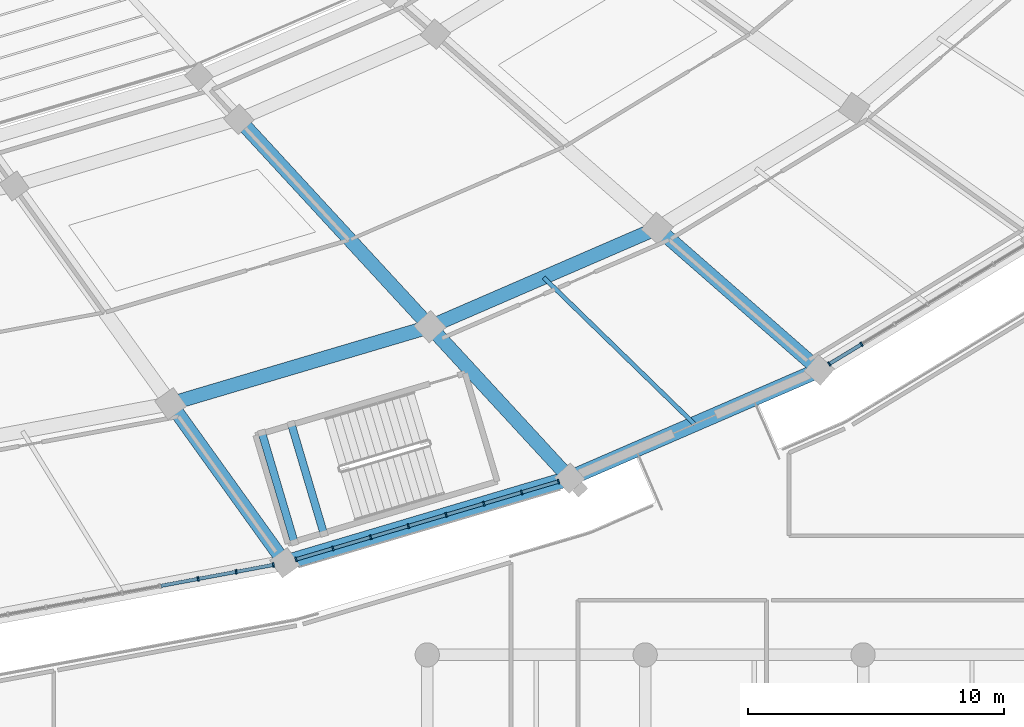
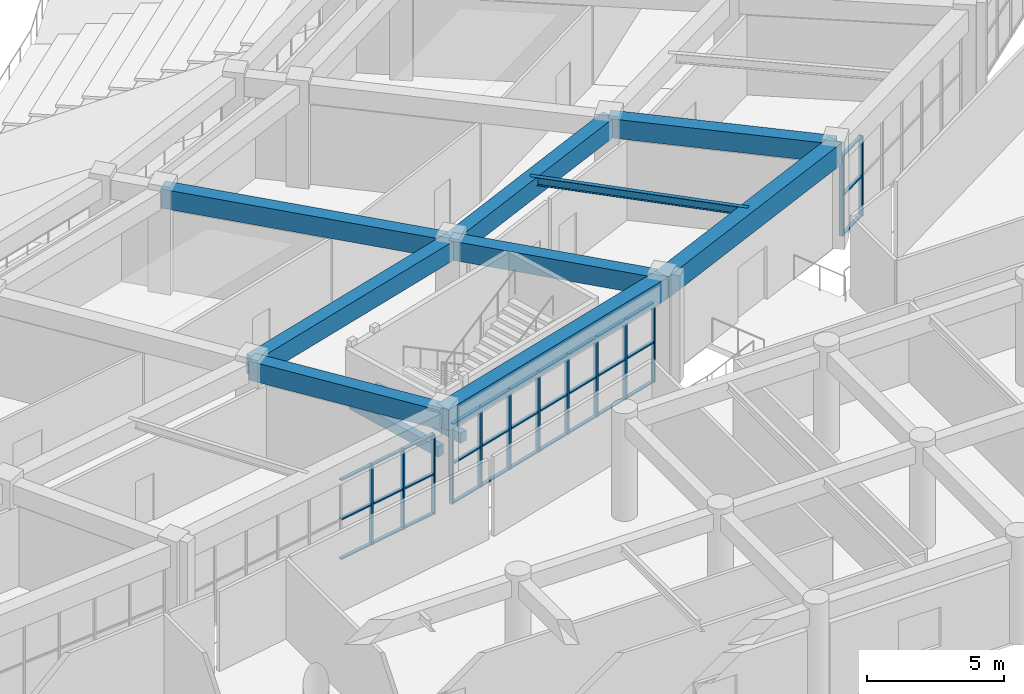
# One storey, part 38 of 152: 46 members, 11 beams, 3 elements without a shape of their own.
"""IFC4 building model written with IfcOpenShell, lengths in metres."""

from ifc_helpers import new_model, si_unit, direction, frame, origin, origin_2d, place, context, subcontext, project, spatial, rectangle, i_section, extrude, material, layer, layer_set, material_profile, profile_set, type_object, element, aggregate, save


model = new_model("IFC4")

# Units and contexts
model_context = context("Model", 3, precision=1e-05, world=origin(), true_north=direction((0.0, 1.0)))
body_context = subcontext(model_context, "Body", "Model", "MODEL_VIEW")
ifc_project = project(units=[si_unit("LENGTHUNIT", "METRE"), si_unit("AREAUNIT", "SQUARE_METRE"), si_unit("VOLUMEUNIT", "CUBIC_METRE"), si_unit("PLANEANGLEUNIT", "RADIAN"), si_unit("MASSUNIT", "GRAM", prefix="KILO")], contexts=[model_context])

# Site, building, storey
site_placement = place(None, origin())
site = spatial("IfcSite", under=ifc_project, at=site_placement, CompositionType="ELEMENT")
building_placement = place(site_placement, origin())
building = spatial("IfcBuilding", under=site, at=building_placement, Name="Mphavela Belvedere Stadium", CompositionType="ELEMENT")
storey_placement = place(building_placement, frame((0.0, 0.0, 5.39990234375)))
storey = spatial("IfcBuildingStorey", under=building, at=storey_placement, Name="L01", CompositionType="ELEMENT", Elevation=5.39990234375)

# Beams
ifc_material_1 = material(Name="Concrete C40/50", Category="concrete")
ifc_material_profile_1 = material_profile(ifc_material_1, rectangle(XDim=0.60009765625, YDim=0.949951171875, at=origin_2d()), Name="RC 600x950")
ifc_profile_set_1 = profile_set([ifc_material_profile_1], Name="Concrete C40/50")
beam_type_1 = type_object("IfcBeamType", Name="BM-ENTABLATURE-950", PredefinedType="SPANDREL", material=ifc_profile_set_1)
beam_1_placement = place(storey_placement, frame((164.80126953125, 17.60302734375, 4.0751953125), z_axis=(0.958656362639, 0.284566298727, 0.0), x_axis=(-0.284566298727, 0.958656362639, 0.0)))
element("IfcBeam", 1, at=beam_1_placement, inside=storey, type_object=beam_type_1, Name="Circumferential girder L01 R4-40", PredefinedType="SPANDREL", context=body_context, shape_type="SweptSolid", body=[
    extrude(rectangle(XDim=0.60009765625, YDim=0.949951171875, at=origin_2d()), origin(), (0.0, 0.0, 1.0), 11.616455078125),
])
beam_2_placement = place(storey_placement, frame((175.9375, 20.90869140625, 4.0751953125), z_axis=(0.91749867224, 0.397738842004, 0.0), x_axis=(-0.397738842004, 0.91749867224, 0.0)))
element("IfcBeam", 2, at=beam_2_placement, inside=storey, type_object=beam_type_1, Name="Circumferential girder L01 R4-41", PredefinedType="SPANDREL", context=body_context, shape_type="SweptSolid", body=[
    extrude(rectangle(XDim=0.60009765625, YDim=0.949951171875, at=origin_2d()), origin(), (0.0, 0.0, 1.0), 10.63623046875),
])
ifc_material_2 = material(Name="Steel S355", Category="steel")
ifc_material_profile_2 = material_profile(ifc_material_2, i_section(OverallWidth=0.169921875, OverallDepth=0.360107421875, WebThickness=0.008056640625, FlangeThickness=0.0126953125, at=origin_2d()), Name="IPE 360")
ifc_profile_set_2 = profile_set([ifc_material_profile_2], Name="Steel S355")
beam_type_2 = type_object("IfcBeamType", Name="BM-JOIST-IPE360", PredefinedType="JOIST", material=ifc_profile_set_2)
beam_3_placement = place(storey_placement, frame((174.918212890625, 28.757568359375, 4.3701171875), z_axis=(0.717067022089, -0.697004222249, 0.0), x_axis=(0.697004222249, 0.717067022089, 0.0)))
element("IfcBeam", 3, at=beam_3_placement, inside=storey, type_object=beam_type_2, Name="Concourse floor joist L01-41", PredefinedType="JOIST", context=body_context, shape_type="SweptSolid", body=[
    extrude(i_section(OverallWidth=0.169921875, OverallDepth=0.360107421875, WebThickness=0.008056640625, FlangeThickness=0.0126953125, at=origin_2d()), origin(), (0.0, 0.0, 1.0), 8.22607421875),
])
ifc_material_3 = material(Name="Concrete C40/50", Category="concrete")
ifc_material_profile_3 = material_profile(ifc_material_3, rectangle(XDim=0.300048828125, YDim=0.449951171875, at=origin_2d()), Name="RC 300x450")
ifc_profile_set_3 = profile_set([ifc_material_profile_3], Name="Concrete C40/50")
beam_type_3 = type_object("IfcBeamType", Name="BM-RC300x450", PredefinedType="BEAM", material=ifc_profile_set_3)
beam_4_placement = place(storey_placement, frame((165.05419921875, 23.027099609375, 1.97509765625), z_axis=(0.284510445837, -0.958672940168, 0.0), x_axis=(0.958672940168, 0.284510445837, 0.0)))
element("IfcBeam", 4, at=beam_4_placement, inside=storey, type_object=beam_type_3, Name="Core P04 landing trimmer beam L01-1", PredefinedType="BEAM", context=body_context, shape_type="SweptSolid", body=[
    extrude(rectangle(XDim=0.300048828125, YDim=0.449951171875, at=origin_2d()), origin(), (0.0, 0.0, 1.0), 4.469970703125),
])
beam_5_placement = place(storey_placement, frame((163.90380859375, 22.685791015625, 1.97509765625), z_axis=(0.284495549112, -0.958677361022, 0.0), x_axis=(0.958677361022, 0.284495549112, 0.0)))
element("IfcBeam", 5, at=beam_5_placement, inside=storey, type_object=beam_type_3, Name="Core P04 landing trimmer beam L01-2", PredefinedType="BEAM", context=body_context, shape_type="SweptSolid", body=[
    extrude(rectangle(XDim=0.300048828125, YDim=0.449951171875, at=origin_2d()), origin(), (0.0, 0.0, 1.0), 4.47021484375),
])
ifc_material_4 = material(Name="Concrete C40/50", Category="concrete")
ifc_material_profile_4 = material_profile(ifc_material_4, rectangle(XDim=0.550048828125, YDim=0.85009765625, at=origin_2d()), Name="RC 550x850")
ifc_profile_set_4 = profile_set([ifc_material_profile_4], Name="Concrete C40/50")
beam_type_4 = type_object("IfcBeamType", Name="BM-RC550x850", PredefinedType="BEAM", material=ifc_profile_set_4)
beam_6_placement = place(storey_placement, frame((160.337890625, 23.822509765625, 4.125), z_axis=(0.958655230784, 0.284570111731, 0.0), x_axis=(-0.284570111731, 0.958655230784, 0.0)))
element("IfcBeam", 6, at=beam_6_placement, inside=storey, type_object=beam_type_4, Name="Circumferential girder L01 R3-40", PredefinedType="BEAM", context=body_context, shape_type="SweptSolid", body=[
    extrude(rectangle(XDim=0.550048828125, YDim=0.85009765625, at=origin_2d()), origin(), (0.0, 0.0, 1.0), 10.57568359375),
])
beam_7_placement = place(storey_placement, frame((160.337890625, 23.822509765625, 4.125), z_axis=(0.583043812448, -0.812440713385, 0.0), x_axis=(0.812440713385, 0.583043812448, 0.0)))
element("IfcBeam", 7, at=beam_7_placement, inside=storey, type_object=beam_type_4, Name="Radial concourse girder L01 R3R4-40", PredefinedType="BEAM", context=body_context, shape_type="SweptSolid", body=[
    extrude(rectangle(XDim=0.550048828125, YDim=0.85009765625, at=origin_2d()), origin(), (0.0, 0.0, 1.0), 7.6552734375),
])
beam_8_placement = place(storey_placement, frame((170.476318359375, 26.83203125, 4.125), z_axis=(0.917501650019, 0.397731972832, 0.0), x_axis=(-0.397731972832, 0.917501650019, 0.0)))
element("IfcBeam", 8, at=beam_8_placement, inside=storey, type_object=beam_type_4, Name="Circumferential girder L01 R3-41", PredefinedType="BEAM", context=body_context, shape_type="SweptSolid", body=[
    extrude(rectangle(XDim=0.550048828125, YDim=0.85009765625, at=origin_2d()), origin(), (0.0, 0.0, 1.0), 9.6826171875),
])
beam_9_placement = place(storey_placement, frame((163.002685546875, 34.9375, 4.125), z_axis=(0.677871643116, -0.735180274123, 0.0), x_axis=(0.735180274123, 0.677871643116, 0.0)))
element("IfcBeam", 9, at=beam_9_placement, inside=storey, type_object=beam_type_4, Name="Radial concourse girder L01 R2R3-41", PredefinedType="BEAM", context=body_context, shape_type="SweptSolid", body=[
    extrude(rectangle(XDim=0.550048828125, YDim=0.85009765625, at=origin_2d()), origin(), (0.0, 0.0, 1.0), 11.025146484375),
])
beam_10_placement = place(storey_placement, frame((170.476318359375, 26.83203125, 4.125), z_axis=(0.67784325477, -0.735206448532, 0.0), x_axis=(0.735206448532, 0.67784325477, 0.0)))
element("IfcBeam", 10, at=beam_10_placement, inside=storey, type_object=beam_type_4, Name="Radial concourse girder L01 R3R4-41", PredefinedType="BEAM", context=body_context, shape_type="SweptSolid", body=[
    extrude(rectangle(XDim=0.550048828125, YDim=0.85009765625, at=origin_2d()), origin(), (0.0, 0.0, 1.0), 8.056640625),
])
beam_11_placement = place(storey_placement, frame((179.360107421875, 30.68310546875, 4.125), z_axis=(0.752589268993, -0.658490236978, 0.0), x_axis=(0.658490236978, 0.752589268993, 0.0)))
element("IfcBeam", 11, at=beam_11_placement, inside=storey, type_object=beam_type_4, Name="Radial concourse girder L01 R3R4-42", PredefinedType="BEAM", context=body_context, shape_type="SweptSolid", body=[
    extrude(rectangle(XDim=0.550048828125, YDim=0.85009765625, at=origin_2d()), origin(), (0.0, 0.0, 1.0), 8.419189453125),
])

# Curtain wall, members
ifc_material_5 = material(Name="Anodised bronze unitised curtain wall framing")
ifc_layer_1 = layer(ifc_material_5, 0.205078125)
ifc_layer_set_1 = layer_set([ifc_layer_1], Name="Anodised bronze unitised curtain wall framing")
curtain_wall_type_1 = type_object("IfcCurtainWallType", Name="CW-UNIT-06", PredefinedType="USERDEFINED", material=ifc_layer_set_1)
curtain_wall_1_placement = place(storey_placement, origin())
curtain_wall_1 = element("IfcCurtainWall", 12, at=curtain_wall_1_placement, inside=storey, type_object=curtain_wall_type_1, Name="Belvedere colonnade curtain wall L01-39", ObjectType="UNITISED CURTAIN WALL", PredefinedType="USERDEFINED")
ifc_material_6 = material(Name="Anodised bronze extruded aluminium", Category="aluminium")
ifc_material_profile_5 = material_profile(ifc_material_6, rectangle(XDim=0.179931640625, YDim=0.06494140625, at=origin_2d()), Name="CW-MUL 180x65")
ifc_profile_set_5 = profile_set([ifc_material_profile_5], Name="Anodised bronze extruded aluminium")
member_type_1 = type_object("IfcMemberType", Name="CWM-180x65", PredefinedType="MULLION", material=ifc_profile_set_5)
member_1_placement = place(storey_placement, frame((161.4111328125, 16.9716796875, 0.0), z_axis=(0.0, 0.0, 1.0), x_axis=(-0.18309495886, 0.983095232437, 0.0)))
member_1 = element("IfcMember", 13, at=member_1_placement, type_object=member_type_1, Name="CW-06 mullion 7", PredefinedType="MULLION", context=body_context, shape_type="SweptSolid", body=[
    extrude(rectangle(XDim=0.179931640625, YDim=0.06494140625, at=origin_2d()), origin(), (0.0, 0.0, 1.0), 3.570068359375),
])
member_2_placement = place(storey_placement, frame((162.898193359375, 17.248779296875, 0.0), z_axis=(0.0, 0.0, 1.0), x_axis=(-0.18309495886, 0.983095232437, 0.0)))
member_2 = element("IfcMember", 14, at=member_2_placement, type_object=member_type_1, Name="CW-06 mullion 8", PredefinedType="MULLION", context=body_context, shape_type="SweptSolid", body=[
    extrude(rectangle(XDim=0.179931640625, YDim=0.06494140625, at=origin_2d()), origin(), (0.0, 0.0, 1.0), 3.570068359375),
])
member_3_placement = place(storey_placement, frame((164.353515625, 17.519775390625, 0.0), z_axis=(0.0, 0.0, 1.0), x_axis=(-0.18309495886, 0.983095232437, 0.0)))
member_3 = element("IfcMember", 15, at=member_3_placement, type_object=member_type_1, Name="CW-06 mullion 9", PredefinedType="MULLION", context=body_context, shape_type="SweptSolid", body=[
    extrude(rectangle(XDim=0.179931640625, YDim=0.06494140625, at=origin_2d()), origin(), (0.0, 0.0, 1.0), 3.570068359375),
])

ifc_material_7 = material(Name="Anodised bronze unitised curtain wall framing")
ifc_layer_2 = layer(ifc_material_7, 0.179931640625)
ifc_layer_set_2 = layer_set([ifc_layer_2], Name="Anodised bronze unitised curtain wall framing")
curtain_wall_type_2 = type_object("IfcCurtainWallType", Name="CW-UNIT-01", PredefinedType="USERDEFINED", material=ifc_layer_set_2)
curtain_wall_2_placement = place(storey_placement, origin())
curtain_wall_2 = element("IfcCurtainWall", 16, at=curtain_wall_2_placement, inside=storey, type_object=curtain_wall_type_2, Name="Belvedere colonnade curtain wall L01-40", ObjectType="UNITISED CURTAIN WALL", PredefinedType="USERDEFINED")
member_4_placement = place(storey_placement, frame((165.23779296875, 17.732666015625, 0.0), z_axis=(0.0, 0.0, 1.0), x_axis=(-0.28455109279, 0.958660876219, 0.0)))
member_4 = element("IfcMember", 17, at=member_4_placement, type_object=member_type_1, Name="CW-01 mullion 1", PredefinedType="MULLION", context=body_context, shape_type="SweptSolid", body=[
    extrude(rectangle(XDim=0.179931640625, YDim=0.06494140625, at=origin_2d()), origin(), (0.0, 0.0, 1.0), 3.570068359375),
])
member_5_placement = place(storey_placement, frame((166.681640625, 18.161376953125, 0.0), z_axis=(0.0, 0.0, 1.0), x_axis=(-0.28455109279, 0.958660876219, 0.0)))
member_5 = element("IfcMember", 18, at=member_5_placement, type_object=member_type_1, Name="CW-01 mullion 2", PredefinedType="MULLION", context=body_context, shape_type="SweptSolid", body=[
    extrude(rectangle(XDim=0.179931640625, YDim=0.06494140625, at=origin_2d()), origin(), (0.0, 0.0, 1.0), 3.570068359375),
])
member_6_placement = place(storey_placement, frame((168.15673828125, 18.59912109375, 0.0), z_axis=(0.0, 0.0, 1.0), x_axis=(-0.28455109279, 0.958660876219, 0.0)))
member_6 = element("IfcMember", 19, at=member_6_placement, type_object=member_type_1, Name="CW-01 mullion 3", PredefinedType="MULLION", context=body_context, shape_type="SweptSolid", body=[
    extrude(rectangle(XDim=0.179931640625, YDim=0.06494140625, at=origin_2d()), origin(), (0.0, 0.0, 1.0), 3.570068359375),
])
member_7_placement = place(storey_placement, frame((169.6318359375, 19.036865234375, 0.0), z_axis=(0.0, 0.0, 1.0), x_axis=(-0.28455109279, 0.958660876219, 0.0)))
member_7 = element("IfcMember", 20, at=member_7_placement, type_object=member_type_1, Name="CW-01 mullion 4", PredefinedType="MULLION", context=body_context, shape_type="SweptSolid", body=[
    extrude(rectangle(XDim=0.179931640625, YDim=0.06494140625, at=origin_2d()), origin(), (0.0, 0.0, 1.0), 3.570068359375),
])
member_8_placement = place(storey_placement, frame((171.10693359375, 19.474853515625, 0.0), z_axis=(0.0, 0.0, 1.0), x_axis=(-0.28455109279, 0.958660876219, 0.0)))
member_8 = element("IfcMember", 21, at=member_8_placement, type_object=member_type_1, Name="CW-01 mullion 5", PredefinedType="MULLION", context=body_context, shape_type="SweptSolid", body=[
    extrude(rectangle(XDim=0.179931640625, YDim=0.06494140625, at=origin_2d()), origin(), (0.0, 0.0, 1.0), 3.570068359375),
])
member_9_placement = place(storey_placement, frame((172.58203125, 19.91259765625, 0.0), z_axis=(0.0, 0.0, 1.0), x_axis=(-0.28455109279, 0.958660876219, 0.0)))
member_9 = element("IfcMember", 22, at=member_9_placement, type_object=member_type_1, Name="CW-01 mullion 6", PredefinedType="MULLION", context=body_context, shape_type="SweptSolid", body=[
    extrude(rectangle(XDim=0.179931640625, YDim=0.06494140625, at=origin_2d()), origin(), (0.0, 0.0, 1.0), 3.570068359375),
])
member_10_placement = place(storey_placement, frame((174.05712890625, 20.3505859375, 0.0), z_axis=(0.0, 0.0, 1.0), x_axis=(-0.28455109279, 0.958660876219, 0.0)))
member_10 = element("IfcMember", 23, at=member_10_placement, type_object=member_type_1, Name="CW-01 mullion 7", PredefinedType="MULLION", context=body_context, shape_type="SweptSolid", body=[
    extrude(rectangle(XDim=0.179931640625, YDim=0.06494140625, at=origin_2d()), origin(), (0.0, 0.0, 1.0), 3.570068359375),
])
member_11_placement = place(storey_placement, frame((175.5009765625, 20.779052734375, 0.0), z_axis=(0.0, 0.0, 1.0), x_axis=(-0.28455109279, 0.958660876219, 0.0)))
member_11 = element("IfcMember", 24, at=member_11_placement, type_object=member_type_1, Name="CW-01 mullion 8", PredefinedType="MULLION", context=body_context, shape_type="SweptSolid", body=[
    extrude(rectangle(XDim=0.179931640625, YDim=0.06494140625, at=origin_2d()), origin(), (0.0, 0.0, 1.0), 3.570068359375),
])

ifc_material_8 = material(Name="Anodised bronze unitised curtain wall framing")
ifc_layer_3 = layer(ifc_material_8, 0.18505859375)
ifc_layer_set_3 = layer_set([ifc_layer_3], Name="Anodised bronze unitised curtain wall framing")
curtain_wall_type_3 = type_object("IfcCurtainWallType", Name="CW-UNIT-02", PredefinedType="USERDEFINED", material=ifc_layer_set_3)
curtain_wall_3_placement = place(storey_placement, origin())
curtain_wall_3 = element("IfcCurtainWall", 25, at=curtain_wall_3_placement, inside=storey, type_object=curtain_wall_type_3, Name="Belvedere colonnade curtain wall L01-42", ObjectType="UNITISED CURTAIN WALL", PredefinedType="USERDEFINED")
member_12_placement = place(storey_placement, frame((186.08544921875, 25.3759765625, 0.0), z_axis=(0.0, 0.0, 1.0), x_axis=(-0.51973463728, 0.8543277514, 0.0)))
member_12 = element("IfcMember", 26, at=member_12_placement, type_object=member_type_1, Name="CW-02 mullion 1", PredefinedType="MULLION", context=body_context, shape_type="SweptSolid", body=[
    extrude(rectangle(XDim=0.179931640625, YDim=0.06494140625, at=origin_2d()), origin(), (0.0, 0.0, 1.0), 3.570068359375),
])
member_13_placement = place(storey_placement, frame((187.346923828125, 26.1435546875, 0.0), z_axis=(0.0, 0.0, 1.0), x_axis=(-0.51973463728, 0.8543277514, 0.0)))
member_13 = element("IfcMember", 27, at=member_13_placement, type_object=member_type_1, Name="CW-02 mullion 2", PredefinedType="MULLION", context=body_context, shape_type="SweptSolid", body=[
    extrude(rectangle(XDim=0.179931640625, YDim=0.06494140625, at=origin_2d()), origin(), (0.0, 0.0, 1.0), 3.570068359375),
])

# Member
ifc_material_9 = material(Name="Anodised bronze extruded aluminium", Category="aluminium")
ifc_material_profile_6 = material_profile(ifc_material_9, rectangle(XDim=0.139892578125, YDim=0.06005859375, at=origin_2d()), Name="CW-TRN 140x60")
ifc_profile_set_6 = profile_set([ifc_material_profile_6], Name="Anodised bronze extruded aluminium")
member_type_2 = type_object("IfcMemberType", Name="CWT-140x60", PredefinedType="USERDEFINED", material=ifc_profile_set_6)
member_14_placement = place(storey_placement, frame((159.9560546875, 16.70068359375, 0.030029296875), z_axis=(0.983083468117, 0.183158113977, 0.0), x_axis=(-0.183158113977, 0.983083468117, 0.0)))
member_14 = element("IfcMember", 28, at=member_14_placement, type_object=member_type_2, Name="CW-06 transom 6.1", ObjectType="TRANSOM", PredefinedType="USERDEFINED", context=body_context, shape_type="SweptSolid", body=[
    extrude(rectangle(XDim=0.139892578125, YDim=0.06005859375, at=origin_2d()), origin(), (0.0, 0.0, 1.0), 1.447509765625),
])

member_15_placement = place(storey_placement, frame((159.9560546875, 16.70068359375, 1.78515625), z_axis=(0.983083468117, 0.183158113977, 0.0), x_axis=(-0.183158113977, 0.983083468117, 0.0)))
member_15 = element("IfcMember", 29, at=member_15_placement, type_object=member_type_2, Name="CW-06 transom 6.2", ObjectType="TRANSOM", PredefinedType="USERDEFINED", context=body_context, shape_type="SweptSolid", body=[
    extrude(rectangle(XDim=0.139892578125, YDim=0.06005859375, at=origin_2d()), origin(), (0.0, 0.0, 1.0), 1.447509765625),
])

member_16_placement = place(storey_placement, frame((159.9560546875, 16.70068359375, 3.5400390625), z_axis=(0.983083468117, 0.183158113977, 0.0), x_axis=(-0.183158113977, 0.983083468117, 0.0)))
member_16 = element("IfcMember", 30, at=member_16_placement, type_object=member_type_2, Name="CW-06 transom 6.3", ObjectType="TRANSOM", PredefinedType="USERDEFINED", context=body_context, shape_type="SweptSolid", body=[
    extrude(rectangle(XDim=0.139892578125, YDim=0.06005859375, at=origin_2d()), origin(), (0.0, 0.0, 1.0), 1.447509765625),
])

member_17_placement = place(storey_placement, frame((161.443115234375, 16.977783203125, 0.030029296875), z_axis=(0.983119469828, 0.182964772687, 0.0), x_axis=(-0.182964772687, 0.983119469828, 0.0)))
member_17 = element("IfcMember", 31, at=member_17_placement, type_object=member_type_2, Name="CW-06 transom 7.1", ObjectType="TRANSOM", PredefinedType="USERDEFINED", context=body_context, shape_type="SweptSolid", body=[
    extrude(rectangle(XDim=0.139892578125, YDim=0.06005859375, at=origin_2d()), origin(), (0.0, 0.0, 1.0), 1.44775390625),
])

member_18_placement = place(storey_placement, frame((161.443115234375, 16.977783203125, 1.78515625), z_axis=(0.983119469828, 0.182964772687, 0.0), x_axis=(-0.182964772687, 0.983119469828, 0.0)))
member_18 = element("IfcMember", 32, at=member_18_placement, type_object=member_type_2, Name="CW-06 transom 7.2", ObjectType="TRANSOM", PredefinedType="USERDEFINED", context=body_context, shape_type="SweptSolid", body=[
    extrude(rectangle(XDim=0.139892578125, YDim=0.06005859375, at=origin_2d()), origin(), (0.0, 0.0, 1.0), 1.44775390625),
])

member_19_placement = place(storey_placement, frame((161.443115234375, 16.977783203125, 3.5400390625), z_axis=(0.983119469828, 0.182964772687, 0.0), x_axis=(-0.182964772687, 0.983119469828, 0.0)))
member_19 = element("IfcMember", 33, at=member_19_placement, type_object=member_type_2, Name="CW-06 transom 7.3", ObjectType="TRANSOM", PredefinedType="USERDEFINED", context=body_context, shape_type="SweptSolid", body=[
    extrude(rectangle(XDim=0.139892578125, YDim=0.06005859375, at=origin_2d()), origin(), (0.0, 0.0, 1.0), 1.44775390625),
])

member_20_placement = place(storey_placement, frame((162.93017578125, 17.254638671875, 0.030029296875), z_axis=(0.983076625538, 0.183194837045, 0.0), x_axis=(-0.183194837045, 0.983076625538, 0.0)))
member_20 = element("IfcMember", 34, at=member_20_placement, type_object=member_type_2, Name="CW-06 transom 8.1", ObjectType="TRANSOM", PredefinedType="USERDEFINED", context=body_context, shape_type="SweptSolid", body=[
    extrude(rectangle(XDim=0.139892578125, YDim=0.06005859375, at=origin_2d()), origin(), (0.0, 0.0, 1.0), 1.415283203125),
])

member_21_placement = place(storey_placement, frame((162.93017578125, 17.254638671875, 1.78515625), z_axis=(0.983076625538, 0.183194837045, 0.0), x_axis=(-0.183194837045, 0.983076625538, 0.0)))
member_21 = element("IfcMember", 35, at=member_21_placement, type_object=member_type_2, Name="CW-06 transom 8.2", ObjectType="TRANSOM", PredefinedType="USERDEFINED", context=body_context, shape_type="SweptSolid", body=[
    extrude(rectangle(XDim=0.139892578125, YDim=0.06005859375, at=origin_2d()), origin(), (0.0, 0.0, 1.0), 1.415283203125),
])

member_22_placement = place(storey_placement, frame((162.93017578125, 17.254638671875, 3.5400390625), z_axis=(0.983076625538, 0.183194837045, 0.0), x_axis=(-0.183194837045, 0.983076625538, 0.0)))
member_22 = element("IfcMember", 36, at=member_22_placement, type_object=member_type_2, Name="CW-06 transom 8.3", ObjectType="TRANSOM", PredefinedType="USERDEFINED", context=body_context, shape_type="SweptSolid", body=[
    extrude(rectangle(XDim=0.139892578125, YDim=0.06005859375, at=origin_2d()), origin(), (0.0, 0.0, 1.0), 1.415283203125),
])

aggregate(curtain_wall_1, [member_1, member_2, member_3, member_14, member_15, member_16, member_17, member_18, member_19, member_20, member_21, member_22])

member_23_placement = place(storey_placement, frame((165.26904296875, 17.741943359375, 0.030029296875), z_axis=(0.95864758843, 0.284595855904, 0.0), x_axis=(-0.284595855904, 0.95864758843, 0.0)))
member_23 = element("IfcMember", 37, at=member_23_placement, type_object=member_type_2, Name="CW-01 transom 1.1", ObjectType="TRANSOM", PredefinedType="USERDEFINED", context=body_context, shape_type="SweptSolid", body=[
    extrude(rectangle(XDim=0.139892578125, YDim=0.06005859375, at=origin_2d()), origin(), (0.0, 0.0, 1.0), 1.441162109375),
])

member_24_placement = place(storey_placement, frame((165.26904296875, 17.741943359375, 1.78515625), z_axis=(0.95864758843, 0.284595855904, 0.0), x_axis=(-0.284595855904, 0.95864758843, 0.0)))
member_24 = element("IfcMember", 38, at=member_24_placement, type_object=member_type_2, Name="CW-01 transom 1.2", ObjectType="TRANSOM", PredefinedType="USERDEFINED", context=body_context, shape_type="SweptSolid", body=[
    extrude(rectangle(XDim=0.139892578125, YDim=0.06005859375, at=origin_2d()), origin(), (0.0, 0.0, 1.0), 1.441162109375),
])

member_25_placement = place(storey_placement, frame((165.26904296875, 17.741943359375, 3.5400390625), z_axis=(0.95864758843, 0.284595855904, 0.0), x_axis=(-0.284595855904, 0.95864758843, 0.0)))
member_25 = element("IfcMember", 39, at=member_25_placement, type_object=member_type_2, Name="CW-01 transom 1.3", ObjectType="TRANSOM", PredefinedType="USERDEFINED", context=body_context, shape_type="SweptSolid", body=[
    extrude(rectangle(XDim=0.139892578125, YDim=0.06005859375, at=origin_2d()), origin(), (0.0, 0.0, 1.0), 1.441162109375),
])

member_26_placement = place(storey_placement, frame((166.712890625, 18.170654296875, 0.030029296875), z_axis=(0.958692757782, 0.284443660811, 0.0), x_axis=(-0.284443660811, 0.958692757782, 0.0)))
member_26 = element("IfcMember", 40, at=member_26_placement, type_object=member_type_2, Name="CW-01 transom 2.1", ObjectType="TRANSOM", PredefinedType="USERDEFINED", context=body_context, shape_type="SweptSolid", body=[
    extrude(rectangle(XDim=0.139892578125, YDim=0.06005859375, at=origin_2d()), origin(), (0.0, 0.0, 1.0), 1.4736328125),
])

member_27_placement = place(storey_placement, frame((166.712890625, 18.170654296875, 1.78515625), z_axis=(0.958692757782, 0.284443660811, 0.0), x_axis=(-0.284443660811, 0.958692757782, 0.0)))
member_27 = element("IfcMember", 41, at=member_27_placement, type_object=member_type_2, Name="CW-01 transom 2.2", ObjectType="TRANSOM", PredefinedType="USERDEFINED", context=body_context, shape_type="SweptSolid", body=[
    extrude(rectangle(XDim=0.139892578125, YDim=0.06005859375, at=origin_2d()), origin(), (0.0, 0.0, 1.0), 1.4736328125),
])

member_28_placement = place(storey_placement, frame((166.712890625, 18.170654296875, 3.5400390625), z_axis=(0.958692757782, 0.284443660811, 0.0), x_axis=(-0.284443660811, 0.958692757782, 0.0)))
member_28 = element("IfcMember", 42, at=member_28_placement, type_object=member_type_2, Name="CW-01 transom 2.3", ObjectType="TRANSOM", PredefinedType="USERDEFINED", context=body_context, shape_type="SweptSolid", body=[
    extrude(rectangle(XDim=0.139892578125, YDim=0.06005859375, at=origin_2d()), origin(), (0.0, 0.0, 1.0), 1.4736328125),
])

member_29_placement = place(storey_placement, frame((168.18798828125, 18.6083984375, 0.030029296875), z_axis=(0.958647572457, 0.284595909708, 0.0), x_axis=(-0.284595909708, 0.958647572457, 0.0)))
member_29 = element("IfcMember", 43, at=member_29_placement, type_object=member_type_2, Name="CW-01 transom 3.1", ObjectType="TRANSOM", PredefinedType="USERDEFINED", context=body_context, shape_type="SweptSolid", body=[
    extrude(rectangle(XDim=0.139892578125, YDim=0.06005859375, at=origin_2d()), origin(), (0.0, 0.0, 1.0), 1.473876953125),
])

member_30_placement = place(storey_placement, frame((168.18798828125, 18.6083984375, 1.78515625), z_axis=(0.958647572457, 0.284595909708, 0.0), x_axis=(-0.284595909708, 0.958647572457, 0.0)))
member_30 = element("IfcMember", 44, at=member_30_placement, type_object=member_type_2, Name="CW-01 transom 3.2", ObjectType="TRANSOM", PredefinedType="USERDEFINED", context=body_context, shape_type="SweptSolid", body=[
    extrude(rectangle(XDim=0.139892578125, YDim=0.06005859375, at=origin_2d()), origin(), (0.0, 0.0, 1.0), 1.473876953125),
])

member_31_placement = place(storey_placement, frame((168.18798828125, 18.6083984375, 3.5400390625), z_axis=(0.958647572457, 0.284595909708, 0.0), x_axis=(-0.284595909708, 0.958647572457, 0.0)))
member_31 = element("IfcMember", 45, at=member_31_placement, type_object=member_type_2, Name="CW-01 transom 3.3", ObjectType="TRANSOM", PredefinedType="USERDEFINED", context=body_context, shape_type="SweptSolid", body=[
    extrude(rectangle(XDim=0.139892578125, YDim=0.06005859375, at=origin_2d()), origin(), (0.0, 0.0, 1.0), 1.473876953125),
])

member_32_placement = place(storey_placement, frame((169.6630859375, 19.046142578125, 0.030029296875), z_axis=(0.958634152032, 0.284641111855, 0.0), x_axis=(-0.284641111855, 0.958634152032, 0.0)))
member_32 = element("IfcMember", 46, at=member_32_placement, type_object=member_type_2, Name="CW-01 transom 4.1", ObjectType="TRANSOM", PredefinedType="USERDEFINED", context=body_context, shape_type="SweptSolid", body=[
    extrude(rectangle(XDim=0.139892578125, YDim=0.06005859375, at=origin_2d()), origin(), (0.0, 0.0, 1.0), 1.4736328125),
])

member_33_placement = place(storey_placement, frame((169.6630859375, 19.046142578125, 1.78515625), z_axis=(0.958634152032, 0.284641111855, 0.0), x_axis=(-0.284641111855, 0.958634152032, 0.0)))
member_33 = element("IfcMember", 47, at=member_33_placement, type_object=member_type_2, Name="CW-01 transom 4.2", ObjectType="TRANSOM", PredefinedType="USERDEFINED", context=body_context, shape_type="SweptSolid", body=[
    extrude(rectangle(XDim=0.139892578125, YDim=0.06005859375, at=origin_2d()), origin(), (0.0, 0.0, 1.0), 1.4736328125),
])

member_34_placement = place(storey_placement, frame((169.6630859375, 19.046142578125, 3.5400390625), z_axis=(0.958634152032, 0.284641111855, 0.0), x_axis=(-0.284641111855, 0.958634152032, 0.0)))
member_34 = element("IfcMember", 48, at=member_34_placement, type_object=member_type_2, Name="CW-01 transom 4.3", ObjectType="TRANSOM", PredefinedType="USERDEFINED", context=body_context, shape_type="SweptSolid", body=[
    extrude(rectangle(XDim=0.139892578125, YDim=0.06005859375, at=origin_2d()), origin(), (0.0, 0.0, 1.0), 1.4736328125),
])

member_35_placement = place(storey_placement, frame((171.13818359375, 19.484130859375, 0.030029296875), z_axis=(0.958679351081, 0.284488843036, 0.0), x_axis=(-0.284488843036, 0.958679351081, 0.0)))
member_35 = element("IfcMember", 49, at=member_35_placement, type_object=member_type_2, Name="CW-01 transom 5.1", ObjectType="TRANSOM", PredefinedType="USERDEFINED", context=body_context, shape_type="SweptSolid", body=[
    extrude(rectangle(XDim=0.139892578125, YDim=0.06005859375, at=origin_2d()), origin(), (0.0, 0.0, 1.0), 1.473388671875),
])

member_36_placement = place(storey_placement, frame((171.13818359375, 19.484130859375, 1.78515625), z_axis=(0.958679351081, 0.284488843036, 0.0), x_axis=(-0.284488843036, 0.958679351081, 0.0)))
member_36 = element("IfcMember", 50, at=member_36_placement, type_object=member_type_2, Name="CW-01 transom 5.2", ObjectType="TRANSOM", PredefinedType="USERDEFINED", context=body_context, shape_type="SweptSolid", body=[
    extrude(rectangle(XDim=0.139892578125, YDim=0.06005859375, at=origin_2d()), origin(), (0.0, 0.0, 1.0), 1.473388671875),
])

member_37_placement = place(storey_placement, frame((171.13818359375, 19.484130859375, 3.5400390625), z_axis=(0.958679351081, 0.284488843036, 0.0), x_axis=(-0.284488843036, 0.958679351081, 0.0)))
member_37 = element("IfcMember", 51, at=member_37_placement, type_object=member_type_2, Name="CW-01 transom 5.3", ObjectType="TRANSOM", PredefinedType="USERDEFINED", context=body_context, shape_type="SweptSolid", body=[
    extrude(rectangle(XDim=0.139892578125, YDim=0.06005859375, at=origin_2d()), origin(), (0.0, 0.0, 1.0), 1.473388671875),
])

member_38_placement = place(storey_placement, frame((172.613037109375, 19.921875, 0.030029296875), z_axis=(0.958647572457, 0.284595909708, 0.0), x_axis=(-0.284595909708, 0.958647572457, 0.0)))
member_38 = element("IfcMember", 52, at=member_38_placement, type_object=member_type_2, Name="CW-01 transom 6.1", ObjectType="TRANSOM", PredefinedType="USERDEFINED", context=body_context, shape_type="SweptSolid", body=[
    extrude(rectangle(XDim=0.139892578125, YDim=0.06005859375, at=origin_2d()), origin(), (0.0, 0.0, 1.0), 1.473876953125),
])

member_39_placement = place(storey_placement, frame((172.613037109375, 19.921875, 1.78515625), z_axis=(0.958647572457, 0.284595909708, 0.0), x_axis=(-0.284595909708, 0.958647572457, 0.0)))
member_39 = element("IfcMember", 53, at=member_39_placement, type_object=member_type_2, Name="CW-01 transom 6.2", ObjectType="TRANSOM", PredefinedType="USERDEFINED", context=body_context, shape_type="SweptSolid", body=[
    extrude(rectangle(XDim=0.139892578125, YDim=0.06005859375, at=origin_2d()), origin(), (0.0, 0.0, 1.0), 1.473876953125),
])

member_40_placement = place(storey_placement, frame((172.613037109375, 19.921875, 3.5400390625), z_axis=(0.958647572457, 0.284595909708, 0.0), x_axis=(-0.284595909708, 0.958647572457, 0.0)))
member_40 = element("IfcMember", 54, at=member_40_placement, type_object=member_type_2, Name="CW-01 transom 6.3", ObjectType="TRANSOM", PredefinedType="USERDEFINED", context=body_context, shape_type="SweptSolid", body=[
    extrude(rectangle(XDim=0.139892578125, YDim=0.06005859375, at=origin_2d()), origin(), (0.0, 0.0, 1.0), 1.473876953125),
])

member_41_placement = place(storey_placement, frame((174.088134765625, 20.359619140625, 0.030029296875), z_axis=(0.95864758843, 0.284595855904, 0.0), x_axis=(-0.284595855904, 0.95864758843, 0.0)))
member_41 = element("IfcMember", 55, at=member_41_placement, type_object=member_type_2, Name="CW-01 transom 7.1", ObjectType="TRANSOM", PredefinedType="USERDEFINED", context=body_context, shape_type="SweptSolid", body=[
    extrude(rectangle(XDim=0.139892578125, YDim=0.06005859375, at=origin_2d()), origin(), (0.0, 0.0, 1.0), 1.441162109375),
])

member_42_placement = place(storey_placement, frame((174.088134765625, 20.359619140625, 1.78515625), z_axis=(0.95864758843, 0.284595855904, 0.0), x_axis=(-0.284595855904, 0.95864758843, 0.0)))
member_42 = element("IfcMember", 56, at=member_42_placement, type_object=member_type_2, Name="CW-01 transom 7.2", ObjectType="TRANSOM", PredefinedType="USERDEFINED", context=body_context, shape_type="SweptSolid", body=[
    extrude(rectangle(XDim=0.139892578125, YDim=0.06005859375, at=origin_2d()), origin(), (0.0, 0.0, 1.0), 1.441162109375),
])

member_43_placement = place(storey_placement, frame((174.088134765625, 20.359619140625, 3.5400390625), z_axis=(0.95864758843, 0.284595855904, 0.0), x_axis=(-0.284595855904, 0.95864758843, 0.0)))
member_43 = element("IfcMember", 57, at=member_43_placement, type_object=member_type_2, Name="CW-01 transom 7.3", ObjectType="TRANSOM", PredefinedType="USERDEFINED", context=body_context, shape_type="SweptSolid", body=[
    extrude(rectangle(XDim=0.139892578125, YDim=0.06005859375, at=origin_2d()), origin(), (0.0, 0.0, 1.0), 1.441162109375),
])

aggregate(curtain_wall_2, [member_4, member_5, member_6, member_7, member_8, member_9, member_10, member_11, member_23, member_24, member_25, member_26, member_27, member_28, member_29, member_30, member_31, member_32, member_33, member_34, member_35, member_36, member_37, member_38, member_39, member_40, member_41, member_42, member_43])

member_44_placement = place(storey_placement, frame((186.113037109375, 25.392822265625, 0.030029296875), z_axis=(0.854395503331, 0.519623251874, 0.0), x_axis=(-0.519623251874, 0.854395503331, 0.0)))
member_44 = element("IfcMember", 58, at=member_44_placement, type_object=member_type_2, Name="CW-02 transom 1.1", ObjectType="TRANSOM", PredefinedType="USERDEFINED", context=body_context, shape_type="SweptSolid", body=[
    extrude(rectangle(XDim=0.139892578125, YDim=0.06005859375, at=origin_2d()), origin(), (0.0, 0.0, 1.0), 1.411865234375),
])

member_45_placement = place(storey_placement, frame((186.113037109375, 25.392822265625, 1.78515625), z_axis=(0.854395503331, 0.519623251874, 0.0), x_axis=(-0.519623251874, 0.854395503331, 0.0)))
member_45 = element("IfcMember", 59, at=member_45_placement, type_object=member_type_2, Name="CW-02 transom 1.2", ObjectType="TRANSOM", PredefinedType="USERDEFINED", context=body_context, shape_type="SweptSolid", body=[
    extrude(rectangle(XDim=0.139892578125, YDim=0.06005859375, at=origin_2d()), origin(), (0.0, 0.0, 1.0), 1.411865234375),
])

member_46_placement = place(storey_placement, frame((186.113037109375, 25.392822265625, 3.5400390625), z_axis=(0.854395503331, 0.519623251874, 0.0), x_axis=(-0.519623251874, 0.854395503331, 0.0)))
member_46 = element("IfcMember", 60, at=member_46_placement, type_object=member_type_2, Name="CW-02 transom 1.3", ObjectType="TRANSOM", PredefinedType="USERDEFINED", context=body_context, shape_type="SweptSolid", body=[
    extrude(rectangle(XDim=0.139892578125, YDim=0.06005859375, at=origin_2d()), origin(), (0.0, 0.0, 1.0), 1.411865234375),
])

aggregate(curtain_wall_3, [member_12, member_13, member_44, member_45, member_46])

save(model, "model.ifc")
